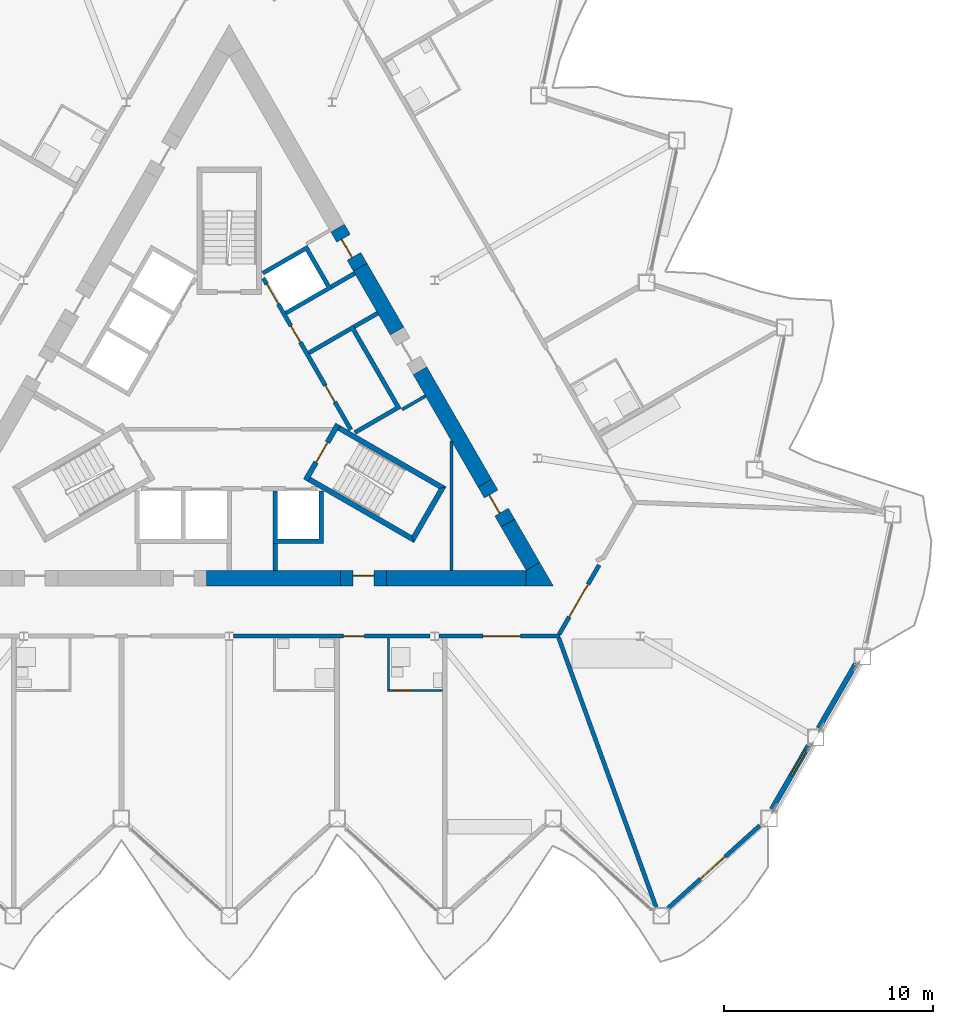
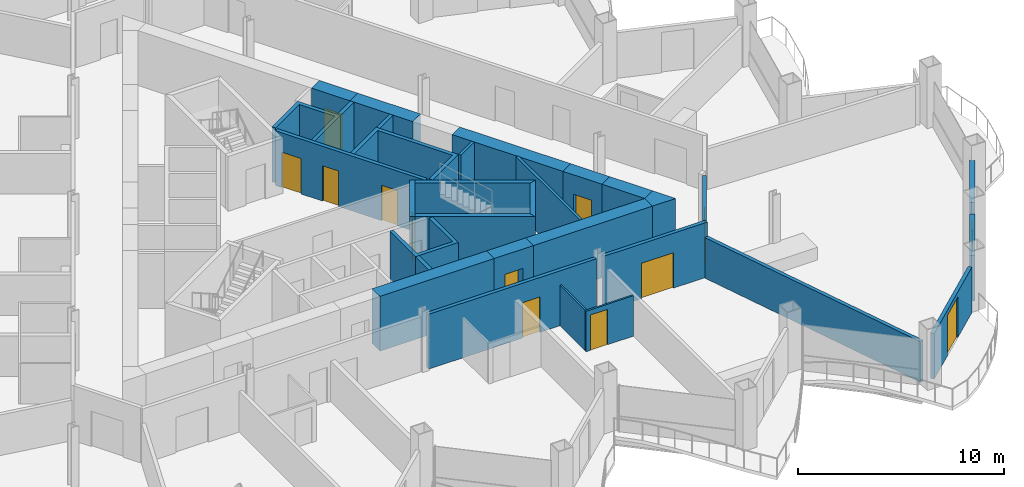
# One storey, part 13 of 23: 31 walls, 12 doors, 1 window, 13 openings.
"""IFC4 building model written with IfcOpenShell, lengths in metres."""

from ifc_helpers import new_model, si_unit, direction, frame, frame_2d, origin, place, context, subcontext, project, spatial, polyline, rectangle, outline, extrude, material, layer, layer_set, type_object, element, fill, save


model = new_model("IFC4")

# Units and contexts
model_context = context("Model", 3, precision=1e-05, world=origin(), true_north=direction((0.0, 1.0)))
body_context = subcontext(model_context, "Body", "Model", "MODEL_VIEW")
ifc_project = project(units=[si_unit("LENGTHUNIT", "METRE"), si_unit("AREAUNIT", "SQUARE_METRE"), si_unit("VOLUMEUNIT", "CUBIC_METRE"), si_unit("PLANEANGLEUNIT", "RADIAN"), si_unit("MASSUNIT", "GRAM", prefix="KILO")], contexts=[model_context])

# Site, building, storey
site_placement = place(None, origin())
site = spatial("IfcSite", under=ifc_project, at=site_placement, CompositionType="ELEMENT")
building_placement = place(site_placement, origin())
building = spatial("IfcBuilding", under=site, at=building_placement, Name="Cormorant Prow Tower", CompositionType="ELEMENT")
storey_placement = place(building_placement, frame((0.0, 0.0, 212.39990234375)))
storey = spatial("IfcBuildingStorey", under=building, at=storey_placement, Name="L47", CompositionType="ELEMENT", Elevation=212.39990234375)

# Walls
ifc_material_1 = material(Name="Gypsum board partition")
ifc_layer_1 = layer(ifc_material_1, 0.14990234375)
ifc_layer_set_1 = layer_set([ifc_layer_1], Name="Gypsum board partition")
wall_type_1 = type_object("IfcWallType", Name="Core partition 150", PredefinedType="PARTITIONING", material=ifc_layer_set_1)
wall_1_placement = place(storey_placement, frame((8.268310546875, -0.509033203125, 0.0), z_axis=(0.0, 0.0, 1.0), x_axis=(0.866003189247, 0.500038474733, 0.0)))
element("IfcWall", 1, at=wall_1_placement, inside=storey, type_object=wall_type_1, Name="Service room partition", PredefinedType="PARTITIONING", context=body_context, shape_type="SweptSolid", body=[
    extrude(rectangle(XDim=1.29296875, YDim=0.14990234375, at=frame_2d((0.646484375, 0.0))), origin(), (0.0, 0.0, 1.0), 3.25),
])
wall_2_placement = place(storey_placement, frame((10.630615234375, -8.198974609375, 0.0), z_axis=(0.0, 0.0, 1.0), x_axis=(0.0, 1.0, 0.0)))
element("IfcWall", 2, at=wall_2_placement, inside=storey, type_object=wall_type_1, Name="Service room partition", PredefinedType="PARTITIONING", context=body_context, shape_type="SweptSolid", body=[
    extrude(rectangle(XDim=6.18408203125, YDim=0.14990234375, at=frame_2d((3.092041015625, 0.0))), origin(), (0.0, 0.0, 1.0), 3.25),
])
ifc_material_2 = material(Name="Concrete 8000 psi", Category="concrete")
ifc_layer_2 = layer(ifc_material_2, 0.75)
ifc_layer_set_2 = layer_set([ifc_layer_2], Name="Concrete 8000 psi")
wall_type_2 = type_object("IfcWallType", Name="Core shear wall 750", PredefinedType="SHEAR", material=ifc_layer_set_2)
wall_3_placement = place(storey_placement, frame((7.52783203125, -8.573974609375, 0.0), z_axis=(0.0, 0.0, 1.0), x_axis=(1.0, 0.0, 0.0)))
element("IfcWall", 3, at=wall_3_placement, inside=storey, type_object=wall_type_2, Name="Core wall", PredefinedType="SHEAR", context=body_context, shape_type="SweptSolid", body=[
    extrude(rectangle(XDim=6.673095703125, YDim=0.75, at=frame_2d((3.33642578125, 0.0))), origin(), (0.0, 0.0, 1.0), 3.25),
])
wall_4_placement = place(storey_placement, frame((-1.07763671875, -8.573974609375, 0.0), z_axis=(0.0, 0.0, 1.0), x_axis=(1.0, 0.0, 0.0)))
element("IfcWall", 4, at=wall_4_placement, inside=storey, type_object=wall_type_2, Name="Core wall", PredefinedType="SHEAR", context=body_context, shape_type="SweptSolid", body=[
    extrude(rectangle(XDim=6.405517578125, YDim=0.75, at=frame_2d((3.20263671875, 0.0))), origin(), (0.0, 0.0, 1.0), 3.25),
])
wall_5_placement = place(storey_placement, frame((12.22802734375, -4.03173828125, 0.0), z_axis=(0.0, 0.0, 1.0), x_axis=(-0.499993760127, 0.866029006347, 0.0)))
element("IfcWall", 5, at=wall_5_placement, inside=storey, type_object=wall_type_2, Name="Core wall", PredefinedType="SHEAR", context=body_context, shape_type="SweptSolid", body=[
    extrude(rectangle(XDim=6.20556640625, YDim=0.75, at=frame_2d((3.102783203125, 0.0))), origin(), (0.0, 0.0, 1.0), 3.25),
])
wall_6_placement = place(storey_placement, frame((8.025146484375, 3.247802734375, 0.0), z_axis=(0.0, 0.0, 1.0), x_axis=(-0.499958618571, 0.866049294045, 0.0)))
element("IfcWall", 6, at=wall_6_placement, inside=storey, type_object=wall_type_2, Name="Core wall", PredefinedType="SHEAR", context=body_context, shape_type="SweptSolid", body=[
    extrude(rectangle(XDim=3.519775390625, YDim=0.75, at=frame_2d((1.759765625, 0.0))), origin(), (0.0, 0.0, 1.0), 3.25),
])
wall_7_placement = place(storey_placement, frame((14.525634765625, -8.011474609375, 0.0), z_axis=(0.0, 0.0, 1.0), x_axis=(-0.499943030081, 0.866058292884, 0.0)))
element("IfcWall", 7, at=wall_7_placement, inside=storey, type_object=wall_type_2, Name="Core wall", PredefinedType="SHEAR", context=body_context, shape_type="SweptSolid", body=[
    extrude(rectangle(XDim=2.395263671875, YDim=0.75, at=frame_2d((1.19775390625, 0.0))), origin(), (0.0, 0.0, 1.0), 3.25),
])
wall_8_placement = place(storey_placement, origin())
element("IfcWall", 8, at=wall_8_placement, inside=storey, type_object=wall_type_2, Name="Core wall corner", PredefinedType="SHEAR", context=body_context, shape_type="SweptSolid", body=[
    extrude(outline(polyline([(14.200927734375, -8.948974609375), (14.200927734375, -8.198974609375), (14.8505859375, -7.823974609375), (15.5, -8.948974609375), (14.200927734375, -8.948974609375)])), origin(), (0.0, 0.0, 1.0), 3.25),
])

# Wall, opening, door
wall_9_placement = place(storey_placement, frame((13.328125, -5.93701171875, 0.0), z_axis=(0.0, 0.0, 1.0), x_axis=(-0.50002983664, 0.866008176907, 0.0)))
wall_9 = element("IfcWall", 9, at=wall_9_placement, inside=storey, type_object=wall_type_2, Name="Core wall door panel", PredefinedType="SHEAR", context=body_context, shape_type="SweptSolid", body=[
    extrude(rectangle(XDim=2.199951171875, YDim=0.75, at=frame_2d((1.10009765625, 0.0))), origin(), (0.0, 0.0, 1.0), 3.25),
])
opening_1_placement = place(wall_9_placement, frame((0.60009765625, 0.0, 0.0)))
opening_1 = element("IfcOpeningElement", 10, at=opening_1_placement, cuts=wall_9, Name="Opening L47-C15", PredefinedType="OPENING", context=body_context, shape_type="SweptSolid", body=[
    extrude(rectangle(XDim=1.0, YDim=2.10009765625, at=frame_2d((0.5, 1.050048828125))), frame((0.0, 0.385009765625, 0.0), z_axis=(0.0, -1.0, 0.0), x_axis=(1.0, 0.0, 0.0)), (0.0, 0.0, 1.0), 0.77001953125),
])
ifc_material_3 = material(Name="Painted steel", Category="steel")
door_type_1 = type_object("IfcDoorType", Name="Service door 1000x2100", OperationType="NOTDEFINED", PredefinedType="DOOR", material=ifc_material_3)
door_1_placement = place(opening_1_placement, origin())
door_1 = element("IfcDoor", 11, at=door_1_placement, inside=storey, type_object=door_type_1, Name="Core door, Electrical room", OperationType="SINGLE_SWING_LEFT", OverallHeight=2.10009765625, OverallWidth=1.0, PredefinedType="DOOR", context=body_context, shape_type="SweptSolid", body=[
    extrude(rectangle(XDim=1.0, YDim=2.10009765625, at=frame_2d((0.5, 1.050048828125))), frame((0.0, 0.1298828125, 0.0), z_axis=(0.0, -1.0, 0.0), x_axis=(1.0, 0.0, 0.0)), (0.0, 0.0, 1.0), 0.050048828125),
])
fill(opening_1, door_1)

wall_10_placement = place(storey_placement, frame((5.327880859375, -8.573974609375, 0.0), z_axis=(0.0, 0.0, 1.0), x_axis=(1.0, 0.0, 0.0)))
wall_10 = element("IfcWall", 12, at=wall_10_placement, inside=storey, type_object=wall_type_2, Name="Core wall door panel", PredefinedType="SHEAR", context=body_context, shape_type="SweptSolid", body=[
    extrude(rectangle(XDim=2.199951171875, YDim=0.75, at=frame_2d((1.10009765625, 0.0))), origin(), (0.0, 0.0, 1.0), 3.25),
])
opening_2_placement = place(wall_10_placement, frame((0.60009765625, 0.0, 0.0)))
opening_2 = element("IfcOpeningElement", 13, at=opening_2_placement, cuts=wall_10, Name="Opening L47-C17", PredefinedType="OPENING", context=body_context, shape_type="SweptSolid", body=[
    extrude(rectangle(XDim=1.0, YDim=2.10009765625, at=frame_2d((0.5, 1.050048828125))), frame((0.0, 0.385009765625, 0.0), z_axis=(0.0, -1.0, 0.0), x_axis=(1.0, 0.0, 0.0)), (0.0, 0.0, 1.0), 0.77001953125),
])
door_2_placement = place(opening_2_placement, origin())
door_2 = element("IfcDoor", 14, at=door_2_placement, inside=storey, type_object=door_type_1, Name="Core door, Refuse store", OperationType="SINGLE_SWING_LEFT", OverallHeight=2.10009765625, OverallWidth=1.0, PredefinedType="DOOR", context=body_context, shape_type="SweptSolid", body=[
    extrude(rectangle(XDim=1.0, YDim=2.10009765625, at=frame_2d((0.5, 1.050048828125))), frame((0.0, 0.1298828125, 0.0), z_axis=(0.0, -1.0, 0.0), x_axis=(1.0, 0.0, 0.0)), (0.0, 0.0, 1.0), 0.050048828125),
])
fill(opening_2, door_2)

wall_11_placement = place(storey_placement, frame((6.265380859375, 6.296142578125, 0.0), z_axis=(0.0, 0.0, 1.0), x_axis=(-0.500029011134, 0.866008653551, 0.0)))
wall_11 = element("IfcWall", 15, at=wall_11_placement, inside=storey, type_object=wall_type_2, Name="Core wall door panel", PredefinedType="SHEAR", context=body_context, shape_type="SweptSolid", body=[
    extrude(rectangle(XDim=2.159912109375, YDim=0.75, at=frame_2d((1.080078125, 0.0))), origin(), (0.0, 0.0, 1.0), 3.25),
])
opening_3_placement = place(wall_11_placement, frame((0.60009765625, 0.0, 0.0)))
opening_3 = element("IfcOpeningElement", 16, at=opening_3_placement, cuts=wall_11, Name="Opening L47-C20", PredefinedType="OPENING", context=body_context, shape_type="SweptSolid", body=[
    extrude(rectangle(XDim=1.0, YDim=2.10009765625, at=frame_2d((0.5, 1.050048828125))), frame((0.0, 0.385009765625, 0.0), z_axis=(0.0, -1.0, 0.0), x_axis=(1.0, 0.0, 0.0)), (0.0, 0.0, 1.0), 0.77001953125),
])
door_3_placement = place(opening_3_placement, origin())
door_3 = element("IfcDoor", 17, at=door_3_placement, inside=storey, type_object=door_type_1, Name="Core door, Linen store", OperationType="SINGLE_SWING_LEFT", OverallHeight=2.10009765625, OverallWidth=1.0, PredefinedType="DOOR", context=body_context, shape_type="SweptSolid", body=[
    extrude(rectangle(XDim=1.0, YDim=2.10009765625, at=frame_2d((0.5, 1.050048828125))), frame((0.0, 0.1298828125, 0.0), z_axis=(0.0, -1.0, 0.0), x_axis=(1.0, 0.0, 0.0)), (0.0, 0.0, 1.0), 0.050048828125),
])
fill(opening_3, door_3)

ifc_material_4 = material(Name="Gypsum board corridor wall")
ifc_layer_3 = layer(ifc_material_4, 0.199951171875)
ifc_layer_set_3 = layer_set([ifc_layer_3], Name="Gypsum board corridor wall")
wall_type_3 = type_object("IfcWallType", Name="Corridor wall 200", PredefinedType="PARTITIONING", material=ifc_layer_set_3)
wall_12_placement = place(storey_placement, frame((0.213623046875, -11.348876953125, 0.0), z_axis=(0.0, 0.0, 1.0), x_axis=(1.0, 0.0, 0.0)))
wall_12 = element("IfcWall", 18, at=wall_12_placement, inside=storey, type_object=wall_type_3, Name="Corridor wall", PredefinedType="PARTITIONING", context=body_context, shape_type="SweptSolid", body=[
    extrude(rectangle(XDim=9.401123046875, YDim=0.199951171875, at=frame_2d((4.70068359375, 0.0))), origin(), (0.0, 0.0, 1.0), 3.25),
])
opening_4_placement = place(wall_12_placement, frame((5.250732421875, 0.0, 0.0)))
opening_4 = element("IfcOpeningElement", 19, at=opening_4_placement, cuts=wall_12, Name="Opening L47-F06", PredefinedType="OPENING", context=body_context, shape_type="SweptSolid", body=[
    extrude(rectangle(XDim=1.0, YDim=2.10009765625, at=frame_2d((0.5, 1.050048828125))), frame((0.0, 0.10986328125, 0.0), z_axis=(0.0, -1.0, 0.0), x_axis=(1.0, 0.0, 0.0)), (0.0, 0.0, 1.0), 0.219970703125),
])
ifc_material_5 = material(Name="Timber door leaf", Category="wood")
door_type_2 = type_object("IfcDoorType", Name="Flat or room entrance door 1000x2100", OperationType="NOTDEFINED", PredefinedType="DOOR", material=ifc_material_5)
door_4_placement = place(opening_4_placement, origin())
door_4 = element("IfcDoor", 20, at=door_4_placement, inside=storey, type_object=door_type_2, Name="Guest room door", OperationType="SINGLE_SWING_LEFT", OverallHeight=2.10009765625, OverallWidth=1.0, PredefinedType="DOOR", context=body_context, shape_type="SweptSolid", body=[
    extrude(rectangle(XDim=1.0, YDim=2.10009765625, at=frame_2d((0.5, 1.050048828125))), frame((0.0, 0.02490234375, 0.0), z_axis=(0.0, -1.0, 0.0), x_axis=(1.0, 0.0, 0.0)), (0.0, 0.0, 1.0), 0.050048828125),
])
fill(opening_4, door_4)

wall_13_placement = place(storey_placement, frame((10.042236328125, -11.348876953125, 0.0), z_axis=(0.0, 0.0, 1.0), x_axis=(1.0, 0.0, 0.0)))
wall_13 = element("IfcWall", 21, at=wall_13_placement, inside=storey, type_object=wall_type_3, Name="Corridor wall", PredefinedType="PARTITIONING", context=body_context, shape_type="SweptSolid", body=[
    extrude(rectangle(XDim=5.78857421875, YDim=0.199951171875, at=frame_2d((2.894287109375, 0.0))), origin(), (0.0, 0.0, 1.0), 3.25),
])
opening_5_placement = place(wall_13_placement, frame((2.096923828125, 0.0, 0.0)))
opening_5 = element("IfcOpeningElement", 22, at=opening_5_placement, cuts=wall_13, Name="Opening L47-F08", PredefinedType="OPENING", context=body_context, shape_type="SweptSolid", body=[
    extrude(rectangle(XDim=1.800048828125, YDim=2.10009765625, at=frame_2d((0.89990234375, 1.050048828125))), frame((0.0, 0.10986328125, 0.0), z_axis=(0.0, -1.0, 0.0), x_axis=(1.0, 0.0, 0.0)), (0.0, 0.0, 1.0), 0.219970703125),
])
ifc_material_6 = material(Name="Timber door leaf", Category="wood")
door_type_3 = type_object("IfcDoorType", Name="Double door 1800x2100", OperationType="DOUBLE_DOOR_SINGLE_SWING", PredefinedType="DOOR", material=ifc_material_6)
door_5_placement = place(opening_5_placement, origin())
door_5 = element("IfcDoor", 23, at=door_5_placement, inside=storey, type_object=door_type_3, Name="Business centre door", OperationType="DOUBLE_DOOR_SINGLE_SWING", OverallHeight=2.10009765625, OverallWidth=1.800048828125, PredefinedType="DOOR", context=body_context, shape_type="SweptSolid", body=[
    extrude(rectangle(XDim=1.800048828125, YDim=2.10009765625, at=frame_2d((0.89990234375, 1.050048828125))), frame((0.0, 0.02490234375, 0.0), z_axis=(0.0, -1.0, 0.0), x_axis=(1.0, 0.0, 0.0)), (0.0, 0.0, 1.0), 0.050048828125),
])
fill(opening_5, door_5)

wall_14_placement = place(storey_placement, frame((15.781005859375, -11.26220703125, 0.0), z_axis=(0.0, 0.0, 1.0), x_axis=(0.499989446428, 0.866031496806, 0.0)))
wall_14 = element("IfcWall", 24, at=wall_14_placement, inside=storey, type_object=wall_type_3, Name="Corridor wall", PredefinedType="PARTITIONING", context=body_context, shape_type="SweptSolid", body=[
    extrude(rectangle(XDim=3.82568359375, YDim=0.199951171875, at=frame_2d((1.912841796875, 0.0))), origin(), (0.0, 0.0, 1.0), 3.25),
])
opening_6_placement = place(wall_14_placement, frame((0.962158203125, 0.0, 0.0)))
opening_6 = element("IfcOpeningElement", 25, at=opening_6_placement, cuts=wall_14, Name="Opening L47-F09", PredefinedType="OPENING", context=body_context, shape_type="SweptSolid", body=[
    extrude(rectangle(XDim=1.800048828125, YDim=2.10009765625, at=frame_2d((0.89990234375, 1.050048828125))), frame((0.0, 0.10986328125, 0.0), z_axis=(0.0, -1.0, 0.0), x_axis=(1.0, 0.0, 0.0)), (0.0, 0.0, 1.0), 0.219970703125),
])
door_6_placement = place(opening_6_placement, origin())
door_6 = element("IfcDoor", 26, at=door_6_placement, inside=storey, type_object=door_type_3, Name="Co-working space door", OperationType="DOUBLE_DOOR_SINGLE_SWING", OverallHeight=2.10009765625, OverallWidth=1.800048828125, PredefinedType="DOOR", context=body_context, shape_type="SweptSolid", body=[
    extrude(rectangle(XDim=1.800048828125, YDim=2.10009765625, at=frame_2d((0.89990234375, 1.050048828125))), frame((0.0, 0.02490234375, 0.0), z_axis=(0.0, -1.0, 0.0), x_axis=(1.0, 0.0, 0.0)), (0.0, 0.0, 1.0), 0.050048828125),
])
fill(opening_6, door_6)

# Wall
ifc_material_7 = material(Name="Gypsum board demising wall")
ifc_layer_4 = layer(ifc_material_7, 0.199951171875)
ifc_layer_set_4 = layer_set([ifc_layer_4], Name="Gypsum board demising wall")
wall_type_4 = type_object("IfcWallType", Name="Demising wall 200", PredefinedType="PARTITIONING", material=ifc_layer_set_4)
wall_15_placement = place(storey_placement, frame((15.764892578125, -11.443115234375, 0.0), z_axis=(0.0, 0.0, 1.0), x_axis=(0.340057865258, -0.940404513109, 0.0)))
element("IfcWall", 27, at=wall_15_placement, inside=storey, type_object=wall_type_4, Name="Demising wall", PredefinedType="PARTITIONING", context=body_context, shape_type="SweptSolid", body=[
    extrude(rectangle(XDim=13.683837890625, YDim=0.199951171875, at=frame_2d((6.841796875, 0.0))), origin(), (0.0, 0.0, 1.0), 2.404296875),
])

# Wall, opening, door
ifc_material_8 = material(Name="Gypsum board partition")
ifc_layer_5 = layer(ifc_material_8, 0.10009765625)
ifc_layer_set_5 = layer_set([ifc_layer_5], Name="Gypsum board partition")
wall_type_5 = type_object("IfcWallType", Name="Internal partition 100", PredefinedType="PARTITIONING", material=ifc_layer_set_5)
wall_16_placement = place(storey_placement, frame((7.561279296875, -13.948974609375, 0.0), z_axis=(0.0, 0.0, 1.0), x_axis=(1.0, 0.0, 0.0)))
wall_16 = element("IfcWall", 28, at=wall_16_placement, inside=storey, type_object=wall_type_5, Name="Internal partition", PredefinedType="PARTITIONING", context=body_context, shape_type="SweptSolid", body=[
    extrude(rectangle(XDim=2.64990234375, YDim=0.10009765625, at=frame_2d((1.324951171875, 0.0))), origin(), (0.0, 0.0, 1.0), 2.404296875),
])
opening_7_placement = place(wall_16_placement, frame((0.25, 0.0, 0.0)))
opening_7 = element("IfcOpeningElement", 29, at=opening_7_placement, cuts=wall_16, Name="Opening L47-F07", PredefinedType="OPENING", context=body_context, shape_type="SweptSolid", body=[
    extrude(rectangle(XDim=0.949951171875, YDim=2.10009765625, at=frame_2d((0.47509765625, 1.050048828125))), frame((0.0, 0.06005859375, 0.0), z_axis=(0.0, -1.0, 0.0), x_axis=(1.0, 0.0, 0.0)), (0.0, 0.0, 1.0), 0.1201171875),
])
ifc_material_9 = material(Name="Timber door leaf", Category="wood")
door_type_4 = type_object("IfcDoorType", Name="Bathroom door 950x2100", OperationType="NOTDEFINED", PredefinedType="DOOR", material=ifc_material_9)
door_7_placement = place(opening_7_placement, origin())
door_7 = element("IfcDoor", 30, at=door_7_placement, inside=storey, type_object=door_type_4, Name="Guest room door", OperationType="SINGLE_SWING_LEFT", OverallHeight=2.10009765625, OverallWidth=0.949951171875, PredefinedType="DOOR", context=body_context, shape_type="SweptSolid", body=[
    extrude(rectangle(XDim=0.949951171875, YDim=2.10009765625, at=frame_2d((0.47509765625, 1.050048828125))), frame((0.0, 0.02490234375, 0.0), z_axis=(0.0, -1.0, 0.0), x_axis=(1.0, 0.0, 0.0)), (0.0, 0.0, 1.0), 0.050048828125),
])
fill(opening_7, door_7)

# Wall
wall_17_placement = place(storey_placement, frame((7.611328125, -13.89892578125, 0.0), z_axis=(0.0, 0.0, 1.0), x_axis=(0.0, 1.0, 0.0)))
element("IfcWall", 31, at=wall_17_placement, inside=storey, type_object=wall_type_5, Name="Internal partition", PredefinedType="PARTITIONING", context=body_context, shape_type="SweptSolid", body=[
    extrude(rectangle(XDim=2.449951171875, YDim=0.10009765625, at=frame_2d((1.22509765625, 0.0))), origin(), (0.0, 0.0, 1.0), 2.404296875),
])

# Wall, openings, doors
ifc_material_10 = material(Name="Concrete 5000 psi", Category="concrete")
ifc_layer_6 = layer(ifc_material_10, 0.199951171875)
ifc_layer_set_6 = layer_set([ifc_layer_6], Name="Concrete 5000 psi")
wall_type_6 = type_object("IfcWallType", Name="Lift lobby wall 200", PredefinedType="SOLIDWALL", material=ifc_layer_set_6)
wall_18_placement = place(storey_placement, frame((5.817138671875, -1.4755859375, 0.0), z_axis=(0.0, 0.0, 1.0), x_axis=(-0.500002616675, 0.866023893041, 0.0)))
wall_18 = element("IfcWall", 32, at=wall_18_placement, inside=storey, type_object=wall_type_6, Name="Lift lobby wall, ENE block", PredefinedType="SOLIDWALL", context=body_context, shape_type="SweptSolid", body=[
    extrude(rectangle(XDim=8.373046875, YDim=0.199951171875, at=frame_2d((4.1865234375, 0.0))), origin(), (0.0, 0.0, 1.0), 3.25),
])
opening_8_placement = place(wall_18_placement, frame((1.53662109375, 0.0, 0.0)))
opening_8 = element("IfcOpeningElement", 33, at=opening_8_placement, cuts=wall_18, Name="Opening L47-C05", PredefinedType="OPENING", context=body_context, shape_type="SweptSolid", body=[
    extrude(rectangle(XDim=0.89990234375, YDim=2.10009765625, at=frame_2d((0.449951171875, 1.050048828125))), frame((0.0, 0.10986328125, 0.0), z_axis=(0.0, -1.0, 0.0), x_axis=(1.0, 0.0, 0.0)), (0.0, 0.0, 1.0), 0.219970703125),
])
opening_9_placement = place(wall_18_placement, frame((4.836669921875, 0.0, 0.0)))
opening_9 = element("IfcOpeningElement", 34, at=opening_9_placement, cuts=wall_18, Name="Opening L47-C06", PredefinedType="OPENING", context=body_context, shape_type="SweptSolid", body=[
    extrude(rectangle(XDim=0.89990234375, YDim=2.10009765625, at=frame_2d((0.449951171875, 1.050048828125))), frame((0.0, 0.10986328125, 0.0), z_axis=(0.0, -1.0, 0.0), x_axis=(1.0, 0.0, 0.0)), (0.0, 0.0, 1.0), 0.219970703125),
])
opening_10_placement = place(wall_18_placement, frame((6.9365234375, 0.0, 0.0)))
opening_10 = element("IfcOpeningElement", 35, at=opening_10_placement, cuts=wall_18, Name="Opening L47-C07", PredefinedType="OPENING", context=body_context, shape_type="SweptSolid", body=[
    extrude(rectangle(XDim=1.10009765625, YDim=2.10009765625, at=frame_2d((0.550048828125, 1.050048828125))), frame((0.0, 0.10986328125, 0.0), z_axis=(0.0, -1.0, 0.0), x_axis=(1.0, 0.0, 0.0)), (0.0, 0.0, 1.0), 0.219970703125),
])
ifc_material_11 = material(Name="Painted steel", Category="steel")
door_type_5 = type_object("IfcDoorType", Name="Lift landing door 1100x2100", OperationType="SLIDING_TO_LEFT", PredefinedType="DOOR", material=ifc_material_11)
door_8_placement = place(opening_10_placement, origin())
door_8 = element("IfcDoor", 36, at=door_8_placement, inside=storey, type_object=door_type_5, Name="Landing door MR1", OperationType="SLIDING_TO_LEFT", OverallHeight=2.10009765625, OverallWidth=1.10009765625, PredefinedType="DOOR", context=body_context, shape_type="SweptSolid", body=[
    extrude(rectangle(XDim=1.10009765625, YDim=2.10009765625, at=frame_2d((0.550048828125, 1.050048828125))), frame((0.0, 0.02490234375, 0.0), z_axis=(0.0, -1.0, 0.0), x_axis=(1.0, 0.0, 0.0)), (0.0, 0.0, 1.0), 0.050048828125),
])
fill(opening_10, door_8)
ifc_material_12 = material(Name="Painted steel", Category="steel")
door_type_6 = type_object("IfcDoorType", Name="Service door 900x2100", OperationType="NOTDEFINED", PredefinedType="DOOR", material=ifc_material_12)
door_9_placement = place(opening_8_placement, origin())
door_9 = element("IfcDoor", 37, at=door_9_placement, inside=storey, type_object=door_type_6, Name="Service door, Refuse store", OperationType="SINGLE_SWING_LEFT", OverallHeight=2.10009765625, OverallWidth=0.89990234375, PredefinedType="DOOR", context=body_context, shape_type="SweptSolid", body=[
    extrude(rectangle(XDim=0.89990234375, YDim=2.10009765625, at=frame_2d((0.449951171875, 1.050048828125))), frame((0.0, 0.02490234375, 0.0), z_axis=(0.0, -1.0, 0.0), x_axis=(1.0, 0.0, 0.0)), (0.0, 0.0, 1.0), 0.050048828125),
])
fill(opening_8, door_9)
door_10_placement = place(opening_9_placement, origin())
door_10 = element("IfcDoor", 38, at=door_10_placement, inside=storey, type_object=door_type_6, Name="Service door, Telecom room", OperationType="SINGLE_SWING_RIGHT", OverallHeight=2.10009765625, OverallWidth=0.89990234375, PredefinedType="DOOR", context=body_context, shape_type="SweptSolid", body=[
    extrude(rectangle(XDim=0.89990234375, YDim=2.10009765625, at=frame_2d((0.449951171875, 1.050048828125))), frame((0.0, 0.02490234375, 0.0), z_axis=(0.0, -1.0, 0.0), x_axis=(1.0, 0.0, 0.0)), (0.0, 0.0, 1.0), 0.050048828125),
])
fill(opening_9, door_10)

# Walls
ifc_material_13 = material(Name="Concrete 8000 psi", Category="concrete")
ifc_layer_7 = layer(ifc_material_13, 0.199951171875)
ifc_layer_set_7 = layer_set([ifc_layer_7], Name="Concrete 8000 psi")
wall_type_7 = type_object("IfcWallType", Name="Lift shaft wall 200", PredefinedType="SHEAR", material=ifc_layer_set_7)
wall_19_placement = place(storey_placement, origin())
element("IfcWall", 39, at=wall_19_placement, inside=storey, type_object=wall_type_7, Name="Lift shaft walls, S block", PredefinedType="SHEAR", context=body_context, shape_type="SweptSolid", body=[
    extrude(outline(polyline([(4.5, -4.39990234375), (4.5, -6.906005859375), (2.10009765625, -6.906005859375), (2.10009765625, -4.39990234375), (2.300048828125, -4.39990234375), (2.300048828125, -6.699951171875), (4.300048828125, -6.699951171875), (4.300048828125, -4.39990234375), (4.5, -4.39990234375)])), origin(), (0.0, 0.0, 1.0), 3.25),
])
wall_20_placement = place(storey_placement, frame((2.199951171875, -6.906005859375, 0.0), z_axis=(0.0, 0.0, 1.0), x_axis=(0.0, -1.0, 0.0)))
element("IfcWall", 40, at=wall_20_placement, inside=storey, type_object=wall_type_7, Name="Store side wall", PredefinedType="SHEAR", context=body_context, shape_type="SweptSolid", body=[
    extrude(rectangle(XDim=1.29296875, YDim=0.199951171875, at=frame_2d((0.646484375, 0.0))), origin(), (0.0, 0.0, 1.0), 3.25),
])
wall_21_placement = place(storey_placement, origin())
element("IfcWall", 41, at=wall_21_placement, inside=storey, type_object=wall_type_7, Name="Lift shaft walls, ENE block", PredefinedType="SHEAR", context=body_context, shape_type="SweptSolid", body=[
    extrude(outline(polyline([(1.560546875, 6.09716796875), (3.730712890625, 7.35009765625), (4.930908203125, 5.271728515625), (2.760498046875, 4.018798828125), (2.660400390625, 4.19189453125), (4.65234375, 5.341796875), (3.65234375, 7.073974609375), (1.660400390625, 5.923828125), (1.560546875, 6.09716796875)])), origin(), (0.0, 0.0, 1.0), 3.25),
])
wall_22_placement = place(storey_placement, origin())
element("IfcWall", 42, at=wall_22_placement, inside=storey, type_object=wall_type_7, Name="Lift shaft walls, ENE block", PredefinedType="SHEAR", context=body_context, shape_type="SweptSolid", body=[
    extrude(outline(polyline([(3.760498046875, 2.28662109375), (5.930908203125, 3.53955078125), (8.230712890625, -0.444091796875), (6.060546875, -1.697021484375), (5.96044921875, -1.52392578125), (7.952392578125, -0.373779296875), (5.852294921875, 3.263427734375), (3.860595703125, 2.11328125), (3.760498046875, 2.28662109375)])), origin(), (0.0, 0.0, 1.0), 3.25),
])
wall_23_placement = place(storey_placement, frame((5.980712890625, 3.452880859375, 0.0), z_axis=(0.0, 0.0, 1.0), x_axis=(0.865968639725, 0.500098305348, 0.0)))
element("IfcWall", 43, at=wall_23_placement, inside=storey, type_object=wall_type_7, Name="Store side wall", PredefinedType="SHEAR", context=body_context, shape_type="SweptSolid", body=[
    extrude(rectangle(XDim=1.293212890625, YDim=0.199951171875, at=frame_2d((0.646484375, 0.0))), origin(), (0.0, 0.0, 1.0), 3.25),
])
wall_24_placement = place(storey_placement, frame((4.880859375, 5.3583984375, 0.0), z_axis=(0.0, 0.0, 1.0), x_axis=(0.866084958089, 0.499896834728, 0.0)))
element("IfcWall", 44, at=wall_24_placement, inside=storey, type_object=wall_type_7, Name="Store side wall", PredefinedType="SHEAR", context=body_context, shape_type="SweptSolid", body=[
    extrude(rectangle(XDim=1.292724609375, YDim=0.199951171875, at=frame_2d((0.646484375, 0.0))), origin(), (0.0, 0.0, 1.0), 3.25),
])
ifc_material_14 = material(Name="Concrete 8000 psi", Category="concrete")
ifc_layer_8 = layer(ifc_material_14, 0.25)
ifc_layer_set_8 = layer_set([ifc_layer_8], Name="Concrete 8000 psi")
wall_type_8 = type_object("IfcWallType", Name="Stair wall 250", PredefinedType="SHEAR", material=ifc_layer_set_8)
wall_25_placement = place(storey_placement, origin())
element("IfcWall", 45, at=wall_25_placement, inside=storey, type_object=wall_type_8, Name="Stair ST2 enclosure wall (flank)", PredefinedType="SHEAR", context=body_context, shape_type="SweptSolid", body=[
    extrude(outline(polyline([(3.76318359375, -3.95556640625), (8.82958984375, -6.880615234375), (8.738037109375, -6.5390625), (3.88818359375, -3.739013671875), (3.76318359375, -3.95556640625)])), origin(), (0.0, 0.0, 1.0), 3.25),
])
wall_26_placement = place(storey_placement, origin())
element("IfcWall", 46, at=wall_26_placement, inside=storey, type_object=wall_type_8, Name="Stair ST2 enclosure wall (end)", PredefinedType="SHEAR", context=body_context, shape_type="SweptSolid", body=[
    extrude(outline(polyline([(8.82958984375, -6.880615234375), (10.37353515625, -4.206298828125), (10.031982421875, -4.2978515625), (8.738037109375, -6.5390625), (8.82958984375, -6.880615234375)])), origin(), (0.0, 0.0, 1.0), 3.25),
])
wall_27_placement = place(storey_placement, origin())
element("IfcWall", 47, at=wall_27_placement, inside=storey, type_object=wall_type_8, Name="Stair ST2 enclosure wall (flank)", PredefinedType="SHEAR", context=body_context, shape_type="SweptSolid", body=[
    extrude(outline(polyline([(10.031982421875, -4.2978515625), (10.37353515625, -4.206298828125), (5.30712890625, -1.28125), (5.18212890625, -1.497802734375), (10.031982421875, -4.2978515625)])), origin(), (0.0, 0.0, 1.0), 3.25),
])

# Wall, opening, door
wall_28_placement = place(storey_placement, frame((3.655029296875, -3.89306640625, 0.0), z_axis=(0.0, 0.0, 1.0), x_axis=(0.499982516597, 0.866035497597, 0.0)))
wall_28 = element("IfcWall", 48, at=wall_28_placement, inside=storey, type_object=wall_type_8, Name="Stair ST2 door wall", PredefinedType="SHEAR", context=body_context, shape_type="SweptSolid", body=[
    extrude(rectangle(XDim=3.087890625, YDim=0.25, at=frame_2d((1.5439453125, 0.0))), origin(), (0.0, 0.0, 1.0), 3.25),
])
opening_11_placement = place(wall_28_placement, frame((0.993896484375, 0.0, 0.0)))
opening_11 = element("IfcOpeningElement", 49, at=opening_11_placement, cuts=wall_28, Name="Opening L47-C12", PredefinedType="OPENING", context=body_context, shape_type="SweptSolid", body=[
    extrude(rectangle(XDim=1.10009765625, YDim=2.10009765625, at=frame_2d((0.550048828125, 1.050048828125))), frame((0.0, 0.135009765625, 0.0), z_axis=(0.0, -1.0, 0.0), x_axis=(1.0, 0.0, 0.0)), (0.0, 0.0, 1.0), 0.27001953125),
])
ifc_material_15 = material(Name="Painted steel", Category="steel")
door_type_7 = type_object("IfcDoorType", Name="Stair door 1100x2100", OperationType="NOTDEFINED", PredefinedType="DOOR", material=ifc_material_15)
door_11_placement = place(opening_11_placement, origin())
door_11 = element("IfcDoor", 50, at=door_11_placement, inside=storey, type_object=door_type_7, Name="Stair ST2 door", OperationType="SINGLE_SWING_RIGHT", OverallHeight=2.10009765625, OverallWidth=1.10009765625, PredefinedType="DOOR", context=body_context, shape_type="SweptSolid", body=[
    extrude(rectangle(XDim=1.10009765625, YDim=2.10009765625, at=frame_2d((0.550048828125, 1.050048828125))), frame((0.0, 0.02490234375, 0.0), z_axis=(0.0, -1.0, 0.0), x_axis=(1.0, 0.0, 0.0)), (0.0, 0.0, 1.0), 0.050048828125),
])
fill(opening_11, door_11)

# Wall, opening, window
ifc_material_16 = material(Name="Terracotta", Category="masonry")
ifc_layer_9 = layer(ifc_material_16, 0.25)
ifc_layer_set_9 = layer_set([ifc_layer_9], Name="Terracotta")
wall_type_9 = type_object("IfcWallType", Name="Terracotta bay wall 250", PredefinedType="SOLIDWALL", material=ifc_layer_set_9)
wall_29_placement = place(storey_placement, frame((25.953857421875, -19.630615234375, 0.0), z_axis=(0.0, 0.0, 1.0), x_axis=(0.500006525586, 0.866021636203, 0.0)))
wall_29 = element("IfcWall", 51, at=wall_29_placement, inside=storey, type_object=wall_type_9, Name="Terracotta bay wall ESE00", PredefinedType="SOLIDWALL", context=body_context, shape_type="SweptSolid", body=[
    extrude(rectangle(XDim=3.49658203125, YDim=0.25, at=frame_2d((1.748291015625, 0.0))), origin(), (0.0, 0.0, 1.0), 2.700927734375),
])
opening_12_placement = place(wall_29_placement, frame((1.85009765625, 0.0, 1.699951171875)))
opening_12 = element("IfcOpeningElement", 52, at=opening_12_placement, cuts=wall_29, Name="Opening WN3", PredefinedType="OPENING", context=body_context, shape_type="SweptSolid", body=[
    extrude(rectangle(XDim=1.39990234375, YDim=0.800048828125, at=frame_2d((0.699951171875, 0.39990234375))), frame((0.0, 0.135009765625, 0.0), z_axis=(0.0, -1.0, 0.0), x_axis=(1.0, 0.0, 0.0)), (0.0, 0.0, 1.0), 0.27001953125),
])
ifc_material_17 = material(Name="Aluminium 6063-T6", Category="aluminium")
window_type = type_object("IfcWindowType", Name="Corner bay window 1400x800", PartitioningType="SINGLE_PANEL", PredefinedType="WINDOW", material=ifc_material_17)
window_placement = place(opening_12_placement, origin())
window = element("IfcWindow", 53, at=window_placement, inside=storey, type_object=window_type, Name="Corner bay window ESE00", OverallHeight=0.800048828125, OverallWidth=1.39990234375, PartitioningType="SINGLE_PANEL", PredefinedType="WINDOW", context=body_context, shape_type="SweptSolid", body=[
    extrude(rectangle(XDim=1.39990234375, YDim=0.800048828125, at=frame_2d((0.699951171875, 0.39990234375))), frame((0.0, 0.030029296875, 0.0), z_axis=(0.0, -1.0, 0.0), x_axis=(1.0, 0.0, 0.0)), (0.0, 0.0, 1.0), 0.06005859375),
])
fill(opening_12, window)

# Wall
wall_30_placement = place(storey_placement, frame((28.194580078125, -15.749755859375, 0.0), z_axis=(0.0, 0.0, 1.0), x_axis=(0.500004952373, 0.866022544512, 0.0)))
element("IfcWall", 54, at=wall_30_placement, inside=storey, type_object=wall_type_9, Name="Terracotta bay wall ESE01", PredefinedType="SOLIDWALL", context=body_context, shape_type="SweptSolid", body=[
    extrude(rectangle(XDim=3.56591796875, YDim=0.25, at=frame_2d((1.782958984375, 0.0))), origin(), (0.0, 0.0, 1.0), 2.700927734375),
])

# Wall, opening, door
ifc_material_18 = material(Name="Terracotta", Category="masonry")
ifc_layer_10 = layer(ifc_material_18, 0.199951171875)
ifc_layer_set_10 = layer_set([ifc_layer_10], Name="Terracotta")
wall_type_10 = type_object("IfcWallType", Name="Terracotta jamb wall 200", PredefinedType="SOLIDWALL", material=ifc_layer_set_10)
wall_31_placement = place(storey_placement, frame((20.977783203125, -24.37255859375, 0.0), z_axis=(0.0, 0.0, 1.0), x_axis=(0.743154671439, 0.669119671149, 0.0)))
wall_31 = element("IfcWall", 55, at=wall_31_placement, inside=storey, type_object=wall_type_10, Name="Terracotta jamb wall S09", PredefinedType="SOLIDWALL", context=body_context, shape_type="SweptSolid", body=[
    extrude(rectangle(XDim=5.919189453125, YDim=0.199951171875, at=frame_2d((2.95947265625, 0.0))), origin(), (0.0, 0.0, 1.0), 2.700927734375),
])
opening_13_placement = place(wall_31_placement, frame((2.100830078125, 0.0, 0.0)))
opening_13 = element("IfcOpeningElement", 56, at=opening_13_placement, cuts=wall_31, Name="Opening ED47.05", PredefinedType="OPENING", context=body_context, shape_type="SweptSolid", body=[
    extrude(rectangle(XDim=1.60009765625, YDim=2.39990234375, at=frame_2d((0.800048828125, 1.199951171875))), frame((0.0, 0.10986328125, 0.0), z_axis=(0.0, -1.0, 0.0), x_axis=(1.0, 0.0, 0.0)), (0.0, 0.0, 1.0), 0.219970703125),
])
ifc_material_19 = material(Name="Aluminium 6063-T6", Category="aluminium")
door_type_8 = type_object("IfcDoorType", Name="Balcony door 1600x2400", OperationType="DOUBLE_DOOR_SINGLE_SWING", PredefinedType="DOOR", material=ifc_material_19)
door_12_placement = place(opening_13_placement, origin())
door_12 = element("IfcDoor", 57, at=door_12_placement, inside=storey, type_object=door_type_8, Name="Balcony door S09 ED47.05", OperationType="DOUBLE_DOOR_SINGLE_SWING", OverallHeight=2.39990234375, OverallWidth=1.60009765625, PredefinedType="DOOR", context=body_context, shape_type="SweptSolid", body=[
    extrude(rectangle(XDim=1.60009765625, YDim=2.39990234375, at=frame_2d((0.800048828125, 1.199951171875))), frame((0.0, 0.02490234375, 0.0), z_axis=(0.0, -1.0, 0.0), x_axis=(1.0, 0.0, 0.0)), (0.0, 0.0, 1.0), 0.050048828125),
])
fill(opening_13, door_12)

save(model, "model.ifc")
